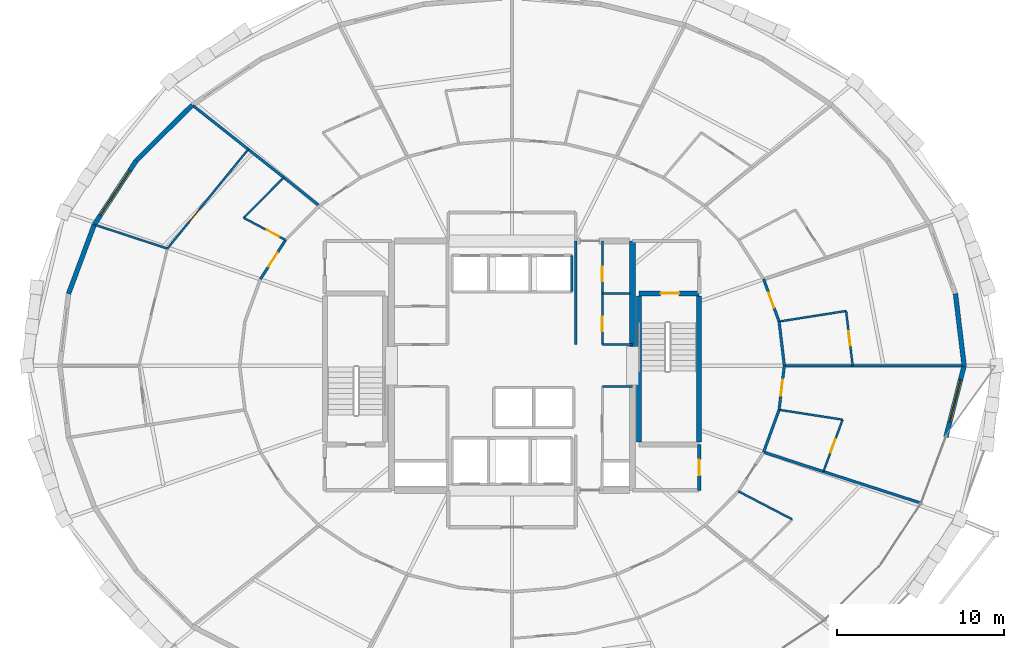
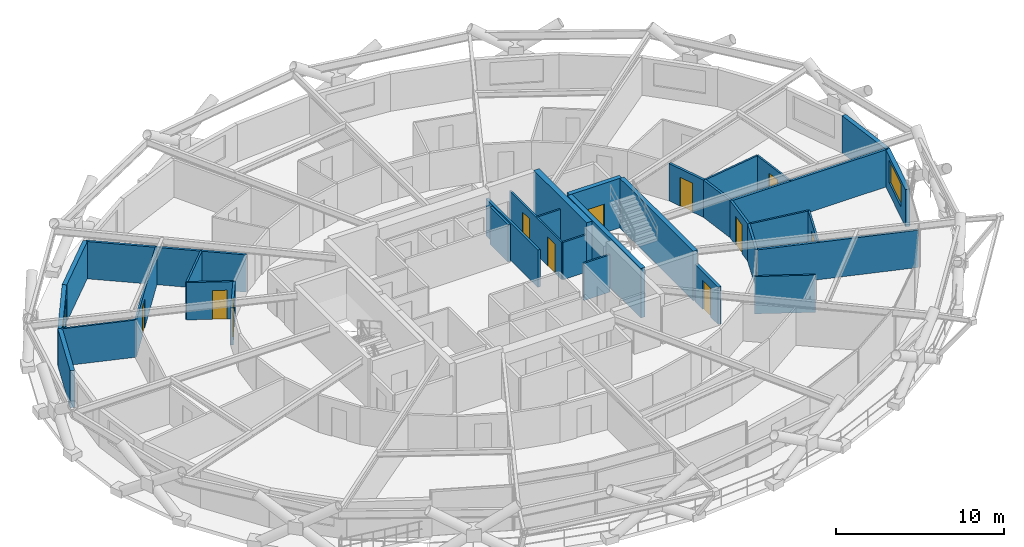
# One storey, part 15 of 20: 33 walls, 11 doors, 2 windows, 13 openings.
"""IFC4 building model written with IfcOpenShell, lengths in metres."""

from ifc_helpers import new_model, si_unit, direction, frame, frame_2d, origin, place, context, subcontext, project, spatial, rectangle, extrude, material, layer, layer_set, type_object, element, fill, save


model = new_model("IFC4")

# Units and contexts
model_context = context("Model", 3, precision=1e-05, world=origin(), true_north=direction((0.0, 1.0)))
body_context = subcontext(model_context, "Body", "Model", "MODEL_VIEW")
ifc_project = project(units=[si_unit("LENGTHUNIT", "METRE"), si_unit("AREAUNIT", "SQUARE_METRE"), si_unit("VOLUMEUNIT", "CUBIC_METRE"), si_unit("PLANEANGLEUNIT", "RADIAN"), si_unit("MASSUNIT", "GRAM", prefix="KILO")], contexts=[model_context])

# Site, building, storey
site_placement = place(None, origin())
site = spatial("IfcSite", under=ifc_project, at=site_placement, CompositionType="ELEMENT")
building_placement = place(site_placement, origin())
building = spatial("IfcBuilding", under=site, at=building_placement, Name="Veldorina Hangang Commons", CompositionType="ELEMENT")
storey_placement = place(building_placement, frame((0.0, 0.0, 84.39990234375)))
storey = spatial("IfcBuildingStorey", under=building, at=storey_placement, Name="L21", CompositionType="ELEMENT", Elevation=84.39990234375)

# Walls
ifc_material_1 = material(Name="Concrete C70/85", Category="concrete")
ifc_layer_1 = layer(ifc_material_1, 0.3798828125)
ifc_layer_set_1 = layer_set([ifc_layer_1], Name="Concrete C70/85")
wall_type_1 = type_object("IfcWallType", Name="CW-RC380-C70", PredefinedType="SHEAR", material=ifc_layer_set_1)
wall_1_placement = place(storey_placement, frame((39.199951171875, 25.14990234375, 0.0), z_axis=(0.0, 0.0, 1.0), x_axis=(0.0, 1.0, 0.0)))
element("IfcWall", 1, at=wall_1_placement, inside=storey, type_object=wall_type_1, Name="L21 E north core shear wall", PredefinedType="SHEAR", context=body_context, shape_type="SweptSolid", body=[
    extrude(rectangle(XDim=6.300048828125, YDim=0.3798828125, at=frame_2d((3.14990234375, 0.0))), origin(), (0.0, 0.0, 1.0), 3.60009765625),
])
ifc_material_2 = material(Name="Stone Roman Travertine", Category="masonry")
ifc_layer_2 = layer(ifc_material_2, 0.280029296875)
ifc_layer_set_2 = layer_set([ifc_layer_2], Name="Stone Roman Travertine")
wall_type_2 = type_object("IfcWallType", Name="EW-TRAV-280", PredefinedType="STANDARD", material=ifc_layer_set_2)
wall_2_placement = place(storey_placement, frame((59.01904296875, 24.0, 0.0), z_axis=(0.0, 0.0, 1.0), x_axis=(-0.119979283707, 0.99277639551, 0.0)))
element("IfcWall", 2, at=wall_2_placement, inside=storey, type_object=wall_type_2, Name="L21 travertine facade wall 00", PredefinedType="STANDARD", context=body_context, shape_type="SweptSolid", body=[
    extrude(rectangle(XDim=4.328125, YDim=0.280029296875, at=frame_2d((2.1640625, 0.0))), origin(), (0.0, 0.0, 1.0), 2.710205078125),
])
wall_3_placement = place(storey_placement, frame((12.894775390625, 39.57421875, 0.0), z_axis=(0.0, 0.0, 1.0), x_axis=(-0.709499676925, -0.704705760189, 0.0)))
element("IfcWall", 3, at=wall_3_placement, inside=storey, type_object=wall_type_2, Name="L21 travertine facade wall 12", PredefinedType="STANDARD", context=body_context, shape_type="SweptSolid", body=[
    extrude(rectangle(XDim=4.736328125, YDim=0.280029296875, at=frame_2d((2.3681640625, 0.0))), origin(), (0.0, 0.0, 1.0), 2.710205078125),
])

# Wall, opening, window
wall_4_placement = place(storey_placement, frame((9.534423828125, 36.236572265625, 0.0), z_axis=(0.0, 0.0, 1.0), x_axis=(-0.548336678248, -0.836257668, 0.0)))
wall_4 = element("IfcWall", 4, at=wall_4_placement, inside=storey, type_object=wall_type_2, Name="L21 travertine facade wall 13", PredefinedType="STANDARD", context=body_context, shape_type="SweptSolid", body=[
    extrude(rectangle(XDim=4.553466796875, YDim=0.280029296875, at=frame_2d((2.27685546875, 0.0))), origin(), (0.0, 0.0, 1.0), 2.710205078125),
])
opening_1_placement = place(wall_4_placement, frame((0.6767578125, 0.0, 0.800048828125)))
opening_1 = element("IfcOpeningElement", 5, at=opening_1_placement, cuts=wall_4, Name="Opening W-01", PredefinedType="OPENING", context=body_context, shape_type="SweptSolid", body=[
    extrude(rectangle(XDim=3.199951171875, YDim=1.64990234375, at=frame_2d((1.60009765625, 0.824951171875))), frame((0.0, 0.14990234375, 0.0), z_axis=(0.0, -1.0, 0.0), x_axis=(1.0, 0.0, 0.0)), (0.0, 0.0, 1.0), 0.300048828125),
])
ifc_material_3 = material(Name="Glass Low-E Triple IGU", Category="glass")
window_type_1 = type_object("IfcWindowType", Name="WIN-TWR-3200", PartitioningType="SINGLE_PANEL", PredefinedType="WINDOW", material=ifc_material_3)
window_1_placement = place(opening_1_placement, origin())
window_1 = element("IfcWindow", 6, at=window_1_placement, inside=storey, type_object=window_type_1, Name="L21 facade window 13", OverallHeight=1.64990234375, OverallWidth=3.199951171875, PartitioningType="SINGLE_PANEL", PredefinedType="WINDOW", context=body_context, shape_type="SweptSolid", body=[
    extrude(rectangle(XDim=3.199951171875, YDim=1.64990234375, at=frame_2d((1.60009765625, 0.824951171875))), frame((0.0, 0.030029296875, 0.0), z_axis=(0.0, -1.0, 0.0), x_axis=(1.0, 0.0, 0.0)), (0.0, 0.0, 1.0), 0.06005859375),
])
fill(opening_1, window_1)

# Wall
wall_5_placement = place(storey_placement, frame((7.03759765625, 32.4287109375, 0.0), z_axis=(0.0, 0.0, 1.0), x_axis=(-0.348719005739, -0.937227323031, 0.0)))
element("IfcWall", 7, at=wall_5_placement, inside=storey, type_object=wall_type_2, Name="L21 travertine facade wall 14", PredefinedType="STANDARD", context=body_context, shape_type="SweptSolid", body=[
    extrude(rectangle(XDim=4.40869140625, YDim=0.280029296875, at=frame_2d((2.204345703125, 0.0))), origin(), (0.0, 0.0, 1.0), 2.710205078125),
])

# Wall, opening, window
wall_6_placement = place(storey_placement, frame((57.927978515625, 19.72314453125, 0.0), z_axis=(0.0, 0.0, 1.0), x_axis=(0.24719210279, 0.968966492877, 0.0)))
wall_6 = element("IfcWall", 8, at=wall_6_placement, inside=storey, type_object=wall_type_2, Name="L21 travertine facade wall 31", PredefinedType="STANDARD", context=body_context, shape_type="SweptSolid", body=[
    extrude(rectangle(XDim=4.413818359375, YDim=0.280029296875, at=frame_2d((2.20703125, 0.0))), origin(), (0.0, 0.0, 1.0), 2.710205078125),
])
opening_2_placement = place(wall_6_placement, frame((0.952880859375, 0.0, 0.800048828125)))
opening_2 = element("IfcOpeningElement", 9, at=opening_2_placement, cuts=wall_6, Name="Opening W-02", PredefinedType="OPENING", context=body_context, shape_type="SweptSolid", body=[
    extrude(rectangle(XDim=2.60009765625, YDim=1.64990234375, at=frame_2d((1.300048828125, 0.824951171875))), frame((0.0, 0.14990234375, 0.0), z_axis=(0.0, -1.0, 0.0), x_axis=(1.0, 0.0, 0.0)), (0.0, 0.0, 1.0), 0.300048828125),
])
window_type_2 = type_object("IfcWindowType", Name="WIN-TWR-2600", PartitioningType="SINGLE_PANEL", PredefinedType="WINDOW", material=ifc_material_3)
window_2_placement = place(opening_2_placement, origin())
window_2 = element("IfcWindow", 10, at=window_2_placement, inside=storey, type_object=window_type_2, Name="L21 facade window 31", OverallHeight=1.64990234375, OverallWidth=2.60009765625, PartitioningType="SINGLE_PANEL", PredefinedType="WINDOW", context=body_context, shape_type="SweptSolid", body=[
    extrude(rectangle(XDim=2.60009765625, YDim=1.64990234375, at=frame_2d((1.300048828125, 0.824951171875))), frame((0.0, 0.030029296875, 0.0), z_axis=(0.0, -1.0, 0.0), x_axis=(1.0, 0.0, 0.0)), (0.0, 0.0, 1.0), 0.06005859375),
])
fill(opening_2, window_2)

# Walls
ifc_material_4 = material(Name="Concrete C50/60", Category="concrete")
ifc_layer_3 = layer(ifc_material_4, 0.300048828125)
ifc_layer_set_3 = layer_set([ifc_layer_3], Name="Concrete C50/60")
wall_type_3 = type_object("IfcWallType", Name="SW-STAIR-300", PredefinedType="SHEAR", material=ifc_layer_set_3)
for number, where, z_axis, x_axis, name in (
    (11, (43.179931640625, 19.429931640625, 0.0), (0.0, 0.0, 1.0), (0.0, 1.0, 0.0), "L21 ST2 outer stair shear wall"),
    (12, (39.580078125, 19.429931640625, 0.0), (0.0, 0.0, 1.0), (0.0, 1.0, 0.0), "L21 ST2 inner stair shear wall"),
):
    element("IfcWall", number, at=place(storey_placement, frame(where, z_axis=z_axis, x_axis=x_axis)), inside=storey, type_object=wall_type_3, Name=name, PredefinedType="SHEAR", context=body_context, shape_type="SweptSolid", body=[
        extrude(rectangle(XDim=8.739990234375, YDim=0.300048828125, at=frame_2d((4.3701171875, 0.0))), origin(), (0.0, 0.0, 1.0), 3.60009765625),
    ])

# Wall, opening, door
wall_7_placement = place(storey_placement, frame((39.580078125, 28.320068359375, 0.0), z_axis=(0.0, 0.0, 1.0), x_axis=(1.0, 0.0, 0.0)))
wall_7 = element("IfcWall", 13, at=wall_7_placement, inside=storey, type_object=wall_type_3, Name="L21 ST2 north stair shear wall", PredefinedType="SHEAR", context=body_context, shape_type="SweptSolid", body=[
    extrude(rectangle(XDim=3.599853515625, YDim=0.300048828125, at=frame_2d((1.7998046875, 0.0))), origin(), (0.0, 0.0, 1.0), 3.60009765625),
])
opening_3_placement = place(wall_7_placement, frame((1.300048828125, 0.0, 0.0)))
opening_3 = element("IfcOpeningElement", 14, at=opening_3_placement, cuts=wall_7, Name="Opening D-08", PredefinedType="OPENING", context=body_context, shape_type="SweptSolid", body=[
    extrude(rectangle(XDim=1.10009765625, YDim=2.10009765625, at=frame_2d((0.550048828125, 1.050048828125))), frame((0.0, 0.16015625, 0.0), z_axis=(0.0, -1.0, 0.0), x_axis=(1.0, 0.0, 0.0)), (0.0, 0.0, 1.0), 0.320068359375),
])
ifc_material_5 = material(Name="Steel Fire-Rated Smoke Seal", Category="steel")
door_type_1 = type_object("IfcDoorType", Name="DR-FIRE-1100", OperationType="SINGLE_SWING_RIGHT", PredefinedType="DOOR", material=ifc_material_5)
door_1_placement = place(opening_3_placement, origin())
door_1 = element("IfcDoor", 15, at=door_1_placement, inside=storey, type_object=door_type_1, Name="L21 Special Escape Stair ST-2 door", OperationType="SINGLE_SWING_RIGHT", OverallHeight=2.10009765625, OverallWidth=1.10009765625, PredefinedType="DOOR", context=body_context, shape_type="SweptSolid", body=[
    extrude(rectangle(XDim=1.10009765625, YDim=2.10009765625, at=frame_2d((0.550048828125, 1.050048828125))), frame((0.0, 0.02490234375, 0.0), z_axis=(0.0, -1.0, 0.0), x_axis=(1.0, 0.0, 0.0)), (0.0, 0.0, 1.0), 0.050048828125),
])
fill(opening_3, door_1)

# Walls
ifc_material_6 = material(Name="Gypsum Fire-Rated Twin Stud Wall", Category="gypsum")
ifc_layer_4 = layer(ifc_material_6, 0.159912109375)
ifc_layer_set_4 = layer_set([ifc_layer_4], Name="Gypsum Fire-Rated Twin Stud Wall")
wall_type_4 = type_object("IfcWallType", Name="WL-FIRE-160", PredefinedType="SOLIDWALL", material=ifc_layer_set_4)
wall_8_placement = place(storey_placement, frame((35.800048828125, 25.25, 0.0), z_axis=(0.0, 0.0, 1.0), x_axis=(0.0, 1.0, 0.0)))
element("IfcWall", 16, at=wall_8_placement, inside=storey, type_object=wall_type_4, Name="L21 Lift passage NW wall 011", PredefinedType="SOLIDWALL", context=body_context, shape_type="SweptSolid", body=[
    extrude(rectangle(XDim=6.199951171875, YDim=0.159912109375, at=frame_2d((3.10009765625, 0.0))), origin(), (0.0, 0.0, 1.0), 2.710205078125),
])
wall_9_placement = place(storey_placement, frame((35.580078125, 28.419921875, 0.0), z_axis=(0.0, 0.0, 1.0), x_axis=(0.0, 1.0, 0.0)))
element("IfcWall", 17, at=wall_9_placement, inside=storey, type_object=wall_type_4, Name="L21 PL-L3 east shaft wall 020", PredefinedType="SOLIDWALL", context=body_context, shape_type="SweptSolid", body=[
    extrude(rectangle(XDim=2.16015625, YDim=0.159912109375, at=frame_2d((1.080078125, 0.0))), origin(), (0.0, 0.0, 1.0), 2.710205078125),
])
wall_10_placement = place(storey_placement, frame((48.27392578125, 24.0, 0.0), z_axis=(0.0, 0.0, 1.0), x_axis=(-0.117763961213, 0.99304161516, 0.0)))
element("IfcWall", 18, at=wall_10_placement, inside=storey, type_object=wall_type_4, Name="L21 Corridor outer wall 00 047", PredefinedType="SOLIDWALL", context=body_context, shape_type="SweptSolid", body=[
    extrude(rectangle(XDim=2.65576171875, YDim=0.159912109375, at=frame_2d((1.327880859375, 0.0))), origin(), (0.0, 0.0, 1.0), 2.710205078125),
])

# Wall, opening, door
wall_11_placement = place(storey_placement, frame((47.961181640625, 26.63720703125, 0.0), z_axis=(0.0, 0.0, 1.0), x_axis=(-0.343013437329, 0.939330496583, 0.0)))
wall_11 = element("IfcWall", 19, at=wall_11_placement, inside=storey, type_object=wall_type_4, Name="L21 Corridor outer wall 01 048", PredefinedType="SOLIDWALL", context=body_context, shape_type="SweptSolid", body=[
    extrude(rectangle(XDim=2.69970703125, YDim=0.159912109375, at=frame_2d((1.349853515625, 0.0))), origin(), (0.0, 0.0, 1.0), 2.710205078125),
])
opening_4_placement = place(wall_11_placement, frame((0.875, 0.0, 0.0)))
opening_4 = element("IfcOpeningElement", 20, at=opening_4_placement, cuts=wall_11, Name="Opening D-03", PredefinedType="OPENING", context=body_context, shape_type="SweptSolid", body=[
    extrude(rectangle(XDim=0.949951171875, YDim=2.10009765625, at=frame_2d((0.47509765625, 1.050048828125))), frame((0.0, 0.08984375, 0.0), z_axis=(0.0, -1.0, 0.0), x_axis=(1.0, 0.0, 0.0)), (0.0, 0.0, 1.0), 0.179931640625),
])
ifc_material_7 = material(Name="Timber Fire-Rated Entrance Core", Category="wood")
door_type_2 = type_object("IfcDoorType", Name="DR-UNIT-950", OperationType="SINGLE_SWING_RIGHT", PredefinedType="DOOR", material=ifc_material_7)
door_2_placement = place(opening_4_placement, origin())
door_2 = element("IfcDoor", 21, at=door_2_placement, inside=storey, type_object=door_type_2, Name="L21 Studio 4 entrance door 026", OperationType="SINGLE_SWING_RIGHT", OverallHeight=2.10009765625, OverallWidth=0.949951171875, PredefinedType="DOOR", context=body_context, shape_type="SweptSolid", body=[
    extrude(rectangle(XDim=0.949951171875, YDim=2.10009765625, at=frame_2d((0.47509765625, 1.050048828125))), frame((0.0, 0.02490234375, 0.0), z_axis=(0.0, -1.0, 0.0), x_axis=(1.0, 0.0, 0.0)), (0.0, 0.0, 1.0), 0.050048828125),
])
fill(opening_4, door_2)

wall_12_placement = place(storey_placement, frame((18.46875, 31.51025390625, 0.0), z_axis=(0.0, 0.0, 1.0), x_axis=(-0.541126045017, -0.840941498206, 0.0)))
wall_12 = element("IfcWall", 22, at=wall_12_placement, inside=storey, type_object=wall_type_4, Name="L21 Corridor outer wall 13 060", PredefinedType="SOLIDWALL", context=body_context, shape_type="SweptSolid", body=[
    extrude(rectangle(XDim=2.779296875, YDim=0.159912109375, at=frame_2d((1.3896484375, 0.0))), origin(), (0.0, 0.0, 1.0), 2.710205078125),
])
opening_5_placement = place(wall_12_placement, frame((0.8896484375, 0.0, 0.0)))
opening_5 = element("IfcOpeningElement", 23, at=opening_5_placement, cuts=wall_12, Name="Opening D-06", PredefinedType="OPENING", context=body_context, shape_type="SweptSolid", body=[
    extrude(rectangle(XDim=1.0, YDim=2.10009765625, at=frame_2d((0.5, 1.050048828125))), frame((0.0, 0.08984375, 0.0), z_axis=(0.0, -1.0, 0.0), x_axis=(1.0, 0.0, 0.0)), (0.0, 0.0, 1.0), 0.179931640625),
])
door_type_3 = type_object("IfcDoorType", Name="DR-UNIT-1000", OperationType="SINGLE_SWING_LEFT", PredefinedType="DOOR", material=ifc_material_7)
door_3_placement = place(opening_5_placement, origin())
door_3 = element("IfcDoor", 24, at=door_3_placement, inside=storey, type_object=door_type_3, Name="L21 Cluster 10 entrance door 038", OperationType="SINGLE_SWING_RIGHT", OverallHeight=2.10009765625, OverallWidth=1.0, PredefinedType="DOOR", context=body_context, shape_type="SweptSolid", body=[
    extrude(rectangle(XDim=1.0, YDim=2.10009765625, at=frame_2d((0.5, 1.050048828125))), frame((0.0, 0.02490234375, 0.0), z_axis=(0.0, -1.0, 0.0), x_axis=(1.0, 0.0, 0.0)), (0.0, 0.0, 1.0), 0.050048828125),
])
fill(opening_5, door_3)

# Wall
wall_13_placement = place(storey_placement, frame((47.03515625, 18.826904296875, 0.0), z_axis=(0.0, 0.0, 1.0), x_axis=(0.343013437329, 0.939330496583, 0.0)))
element("IfcWall", 25, at=wall_13_placement, inside=storey, type_object=wall_type_4, Name="L21 Corridor outer wall 30 077", PredefinedType="SOLIDWALL", context=body_context, shape_type="SweptSolid", body=[
    extrude(rectangle(XDim=2.69970703125, YDim=0.159912109375, at=frame_2d((1.349853515625, 0.0))), origin(), (0.0, 0.0, 1.0), 2.710205078125),
])

# Wall, opening, door
wall_14_placement = place(storey_placement, frame((47.961181640625, 21.36279296875, 0.0), z_axis=(0.0, 0.0, 1.0), x_axis=(0.117763961213, 0.99304161516, 0.0)))
wall_14 = element("IfcWall", 26, at=wall_14_placement, inside=storey, type_object=wall_type_4, Name="L21 Corridor outer wall 31 078", PredefinedType="SOLIDWALL", context=body_context, shape_type="SweptSolid", body=[
    extrude(rectangle(XDim=2.65576171875, YDim=0.159912109375, at=frame_2d((1.327880859375, 0.0))), origin(), (0.0, 0.0, 1.0), 2.710205078125),
])
opening_6_placement = place(wall_14_placement, frame((0.852783203125, 0.0, 0.0)))
opening_6 = element("IfcOpeningElement", 27, at=opening_6_placement, cuts=wall_14, Name="Opening D-03", PredefinedType="OPENING", context=body_context, shape_type="SweptSolid", body=[
    extrude(rectangle(XDim=0.949951171875, YDim=2.10009765625, at=frame_2d((0.47509765625, 1.050048828125))), frame((0.0, 0.08984375, 0.0), z_axis=(0.0, -1.0, 0.0), x_axis=(1.0, 0.0, 0.0)), (0.0, 0.0, 1.0), 0.179931640625),
])
door_4_placement = place(opening_6_placement, origin())
door_4 = element("IfcDoor", 28, at=door_4_placement, inside=storey, type_object=door_type_2, Name="L21 Studio 3 entrance door 024", OperationType="SINGLE_SWING_RIGHT", OverallHeight=2.10009765625, OverallWidth=0.949951171875, PredefinedType="DOOR", context=body_context, shape_type="SweptSolid", body=[
    extrude(rectangle(XDim=0.949951171875, YDim=2.10009765625, at=frame_2d((0.47509765625, 1.050048828125))), frame((0.0, 0.02490234375, 0.0), z_axis=(0.0, -1.0, 0.0), x_axis=(1.0, 0.0, 0.0)), (0.0, 0.0, 1.0), 0.050048828125),
])
fill(opening_6, door_4)

# Walls
wall_15_placement = place(storey_placement, frame((47.03515625, 18.826904296875, 0.0), z_axis=(0.0, 0.0, 1.0), x_axis=(0.951534464328, -0.307542132393, 0.0)))
element("IfcWall", 29, at=wall_15_placement, inside=storey, type_object=wall_type_4, Name="L21 Unit party wall 30 087", PredefinedType="SOLIDWALL", context=body_context, shape_type="SweptSolid", body=[
    extrude(rectangle(XDim=9.8388671875, YDim=0.159912109375, at=frame_2d((4.91943359375, 0.0))), origin(), (0.0, 0.0, 1.0), 2.710205078125),
])
wall_16_placement = place(storey_placement, frame((48.27392578125, 24.0, 0.0), z_axis=(0.0, 0.0, 1.0), x_axis=(1.0, 0.0, 0.0)))
element("IfcWall", 30, at=wall_16_placement, inside=storey, type_object=wall_type_4, Name="L21 Unit party wall 00 090", PredefinedType="SOLIDWALL", context=body_context, shape_type="SweptSolid", body=[
    extrude(rectangle(XDim=10.695068359375, YDim=0.159912109375, at=frame_2d((5.34765625, 0.0))), origin(), (0.0, 0.0, 1.0), 2.710205078125),
])
wall_17_placement = place(storey_placement, frame((20.492431640625, 33.55859375, 0.0), z_axis=(0.0, 0.0, 1.0), x_axis=(-0.784008851618, 0.620749644047, 0.0)))
element("IfcWall", 31, at=wall_17_placement, inside=storey, type_object=wall_type_4, Name="L21 Unit party wall 12 108", PredefinedType="SOLIDWALL", context=body_context, shape_type="SweptSolid", body=[
    extrude(rectangle(XDim=9.640869140625, YDim=0.159912109375, at=frame_2d((4.8203125, 0.0))), origin(), (0.0, 0.0, 1.0), 2.710205078125),
])

# Wall, opening, door
ifc_material_8 = material(Name="Concrete Blockwork Fire Wall C30/37", Category="masonry")
ifc_layer_5 = layer(ifc_material_8, 0.199951171875)
ifc_layer_set_5 = layer_set([ifc_layer_5], Name="Concrete Blockwork Fire Wall C30/37")
wall_type_5 = type_object("IfcWallType", Name="WL-FIRE-200", PredefinedType="SOLIDWALL", material=ifc_layer_set_5)
wall_18_placement = place(storey_placement, frame((43.179931640625, 16.550048828125, 0.0), z_axis=(0.0, 0.0, 1.0), x_axis=(0.0, 1.0, 0.0)))
wall_18 = element("IfcWall", 32, at=wall_18_placement, inside=storey, type_object=wall_type_5, Name="L21 SE core room outer wall 007", PredefinedType="SOLIDWALL", context=body_context, shape_type="SweptSolid", body=[
    extrude(rectangle(XDim=2.72998046875, YDim=0.199951171875, at=frame_2d((1.364990234375, 0.0))), origin(), (0.0, 0.0, 1.0), 2.710205078125),
])
opening_7_placement = place(wall_18_placement, frame((0.889892578125, 0.0, 0.0)))
opening_7 = element("IfcOpeningElement", 33, at=opening_7_placement, cuts=wall_18, Name="Opening D-02", PredefinedType="OPENING", context=body_context, shape_type="SweptSolid", body=[
    extrude(rectangle(XDim=0.949951171875, YDim=2.10009765625, at=frame_2d((0.47509765625, 1.050048828125))), frame((0.0, 0.10986328125, 0.0), z_axis=(0.0, -1.0, 0.0), x_axis=(1.0, 0.0, 0.0)), (0.0, 0.0, 1.0), 0.219970703125),
])
ifc_material_9 = material(Name="Timber Solid Core Acoustic", Category="wood")
door_type_4 = type_object("IfcDoorType", Name="DR-INT-950", OperationType="SINGLE_SWING_LEFT", PredefinedType="DOOR", material=ifc_material_9)
door_5_placement = place(opening_7_placement, origin())
door_5 = element("IfcDoor", 34, at=door_5_placement, inside=storey, type_object=door_type_4, Name="L21 SE core WC door 004", OperationType="SINGLE_SWING_RIGHT", OverallHeight=2.10009765625, OverallWidth=0.949951171875, PredefinedType="DOOR", context=body_context, shape_type="SweptSolid", body=[
    extrude(rectangle(XDim=0.949951171875, YDim=2.10009765625, at=frame_2d((0.47509765625, 1.050048828125))), frame((0.0, 0.02490234375, 0.0), z_axis=(0.0, -1.0, 0.0), x_axis=(1.0, 0.0, 0.0)), (0.0, 0.0, 1.0), 0.050048828125),
])
fill(opening_7, door_5)

# Wall, openings, doors
ifc_material_10 = material(Name="Gypsum Acoustic Stud Partition", Category="gypsum")
ifc_layer_6 = layer(ifc_material_10, 0.1201171875)
ifc_layer_set_6 = layer_set([ifc_layer_6], Name="Gypsum Acoustic Stud Partition")
wall_type_6 = type_object("IfcWallType", Name="WL-PART-120", PredefinedType="PARTITIONING", material=ifc_layer_set_6)
wall_19_placement = place(storey_placement, frame((37.39990234375, 25.25, 0.0), z_axis=(0.0, 0.0, 1.0), x_axis=(0.0, 1.0, 0.0)))
wall_19 = element("IfcWall", 35, at=wall_19_placement, inside=storey, type_object=wall_type_6, Name="L21 NE strip lobby wall 041", PredefinedType="PARTITIONING", context=body_context, shape_type="SweptSolid", body=[
    extrude(rectangle(XDim=6.199951171875, YDim=0.1201171875, at=frame_2d((3.10009765625, 0.0))), origin(), (0.0, 0.0, 1.0), 2.710205078125),
])
opening_8_placement = place(wall_19_placement, frame((0.800048828125, 0.0, 0.0)))
opening_8 = element("IfcOpeningElement", 36, at=opening_8_placement, cuts=wall_19, Name="Opening D-01", PredefinedType="OPENING", context=body_context, shape_type="SweptSolid", body=[
    extrude(rectangle(XDim=0.860107421875, YDim=2.10009765625, at=frame_2d((0.43017578125, 1.050048828125))), frame((0.0, 0.070068359375, 0.0), z_axis=(0.0, -1.0, 0.0), x_axis=(1.0, 0.0, 0.0)), (0.0, 0.0, 1.0), 0.14013671875),
])
opening_9_placement = place(wall_19_placement, frame((3.800048828125, 0.0, 0.0)))
opening_9 = element("IfcOpeningElement", 37, at=opening_9_placement, cuts=wall_19, Name="Opening D-01", PredefinedType="OPENING", context=body_context, shape_type="SweptSolid", body=[
    extrude(rectangle(XDim=0.860107421875, YDim=2.10009765625, at=frame_2d((0.43017578125, 1.050048828125))), frame((0.0, 0.070068359375, 0.0), z_axis=(0.0, -1.0, 0.0), x_axis=(1.0, 0.0, 0.0)), (0.0, 0.0, 1.0), 0.14013671875),
])
ifc_material_11 = material(Name="Timber Moisture-Resistant Core", Category="wood")
door_type_5 = type_object("IfcDoorType", Name="DR-WET-860", OperationType="SINGLE_SWING_LEFT", PredefinedType="DOOR", material=ifc_material_11)
door_6_placement = place(opening_8_placement, origin())
door_6 = element("IfcDoor", 38, at=door_6_placement, inside=storey, type_object=door_type_5, Name="L21 Electrical closet door 016", OperationType="SINGLE_SWING_RIGHT", OverallHeight=2.10009765625, OverallWidth=0.860107421875, PredefinedType="DOOR", context=body_context, shape_type="SweptSolid", body=[
    extrude(rectangle(XDim=0.860107421875, YDim=2.10009765625, at=frame_2d((0.43017578125, 1.050048828125))), frame((0.0, 0.02490234375, 0.0), z_axis=(0.0, -1.0, 0.0), x_axis=(1.0, 0.0, 0.0)), (0.0, 0.0, 1.0), 0.050048828125),
])
fill(opening_8, door_6)
door_7_placement = place(opening_9_placement, origin())
door_7 = element("IfcDoor", 39, at=door_7_placement, inside=storey, type_object=door_type_5, Name="L21 IT closet door 017", OperationType="SINGLE_SWING_LEFT", OverallHeight=2.10009765625, OverallWidth=0.860107421875, PredefinedType="DOOR", context=body_context, shape_type="SweptSolid", body=[
    extrude(rectangle(XDim=0.860107421875, YDim=2.10009765625, at=frame_2d((0.43017578125, 1.050048828125))), frame((0.0, 0.02490234375, 0.0), z_axis=(0.0, -1.0, 0.0), x_axis=(1.0, 0.0, 0.0)), (0.0, 0.0, 1.0), 0.050048828125),
])
fill(opening_9, door_7)

# Walls
for number, where, z_axis, x_axis, name in (
    (40, (37.39990234375, 25.25, 0.0), (0.0, 0.0, 1.0), (1.0, 0.0, 0.0), "L21 NE strip south return wall 042"),
    (41, (37.39990234375, 22.75, 0.0), (0.0, 0.0, 1.0), (1.0, 0.0, 0.0), "L21 SE strip north return wall 044"),
):
    element("IfcWall", number, at=place(storey_placement, frame(where, z_axis=z_axis, x_axis=x_axis)), inside=storey, type_object=wall_type_6, Name=name, PredefinedType="PARTITIONING", context=body_context, shape_type="SweptSolid", body=[
        extrude(rectangle(XDim=1.800048828125, YDim=0.1201171875, at=frame_2d((0.89990234375, 0.0))), origin(), (0.0, 0.0, 1.0), 2.710205078125),
    ])
wall_20_placement = place(storey_placement, frame((37.39990234375, 28.300048828125, 0.0), z_axis=(0.0, 0.0, 1.0), x_axis=(1.0, 0.0, 0.0)))
element("IfcWall", 42, at=wall_20_placement, inside=storey, type_object=wall_type_6, Name="L21 NE mid wall 046", PredefinedType="PARTITIONING", context=body_context, shape_type="SweptSolid", body=[
    extrude(rectangle(XDim=1.650146484375, YDim=0.1201171875, at=frame_2d((0.8251953125, 0.0))), origin(), (0.0, 0.0, 1.0), 2.710205078125),
])
wall_21_placement = place(storey_placement, frame((45.53125, 16.48974609375, 0.0), z_axis=(0.0, 0.0, 1.0), x_axis=(0.886738326297, -0.462271717366, 0.0)))
element("IfcWall", 43, at=wall_21_placement, inside=storey, type_object=wall_type_6, Name="L21 Studio 2 bath side wall 086", PredefinedType="PARTITIONING", context=body_context, shape_type="SweptSolid", body=[
    extrude(rectangle(XDim=3.62939453125, YDim=0.1201171875, at=frame_2d((1.814697265625, 0.0))), origin(), (0.0, 0.0, 1.0), 2.710205078125),
])

# Wall, opening, door
wall_22_placement = place(storey_placement, frame((50.61083984375, 17.671142578125, 0.0), z_axis=(0.0, 0.0, 1.0), x_axis=(0.346556958516, 0.938028930526, 0.0)))
wall_22 = element("IfcWall", 44, at=wall_22_placement, inside=storey, type_object=wall_type_6, Name="L21 Studio 3 bath front wall 088", PredefinedType="PARTITIONING", context=body_context, shape_type="SweptSolid", body=[
    extrude(rectangle(XDim=3.3076171875, YDim=0.1201171875, at=frame_2d((1.65380859375, 0.0))), origin(), (0.0, 0.0, 1.0), 2.710205078125),
])
opening_10_placement = place(wall_22_placement, frame((1.2236328125, 0.0, 0.0)))
opening_10 = element("IfcOpeningElement", 45, at=opening_10_placement, cuts=wall_22, Name="Opening D-01", PredefinedType="OPENING", context=body_context, shape_type="SweptSolid", body=[
    extrude(rectangle(XDim=0.860107421875, YDim=2.10009765625, at=frame_2d((0.43017578125, 1.050048828125))), frame((0.0, 0.070068359375, 0.0), z_axis=(0.0, -1.0, 0.0), x_axis=(1.0, 0.0, 0.0)), (0.0, 0.0, 1.0), 0.14013671875),
])
door_8_placement = place(opening_10_placement, origin())
door_8 = element("IfcDoor", 46, at=door_8_placement, inside=storey, type_object=door_type_5, Name="L21 Studio 3 bathroom door 023", OperationType="SINGLE_SWING_LEFT", OverallHeight=2.10009765625, OverallWidth=0.860107421875, PredefinedType="DOOR", context=body_context, shape_type="SweptSolid", body=[
    extrude(rectangle(XDim=0.860107421875, YDim=2.10009765625, at=frame_2d((0.43017578125, 1.050048828125))), frame((0.0, 0.02490234375, 0.0), z_axis=(0.0, -1.0, 0.0), x_axis=(1.0, 0.0, 0.0)), (0.0, 0.0, 1.0), 0.050048828125),
])
fill(opening_10, door_8)

# Wall
wall_23_placement = place(storey_placement, frame((47.961181640625, 21.36279296875, 0.0), z_axis=(0.0, 0.0, 1.0), x_axis=(0.988170250217, -0.153360870451, 0.0)))
element("IfcWall", 47, at=wall_23_placement, inside=storey, type_object=wall_type_6, Name="L21 Studio 3 bath side wall 089", PredefinedType="PARTITIONING", context=body_context, shape_type="SweptSolid", body=[
    extrude(rectangle(XDim=3.84130859375, YDim=0.1201171875, at=frame_2d((1.920654296875, 0.0))), origin(), (0.0, 0.0, 1.0), 2.710205078125),
])

# Wall, opening, door
wall_24_placement = place(storey_placement, frame((52.357177734375, 24.0, 0.0), z_axis=(0.0, 0.0, 1.0), x_axis=(-0.118911209682, 0.992904891826, 0.0)))
wall_24 = element("IfcWall", 48, at=wall_24_placement, inside=storey, type_object=wall_type_6, Name="L21 Studio 4 bath front wall 091", PredefinedType="PARTITIONING", context=body_context, shape_type="SweptSolid", body=[
    extrude(rectangle(XDim=3.291259765625, YDim=0.1201171875, at=frame_2d((1.6455078125, 0.0))), origin(), (0.0, 0.0, 1.0), 2.710205078125),
])
opening_11_placement = place(wall_24_placement, frame((1.215576171875, 0.0, 0.0)))
opening_11 = element("IfcOpeningElement", 49, at=opening_11_placement, cuts=wall_24, Name="Opening D-01", PredefinedType="OPENING", context=body_context, shape_type="SweptSolid", body=[
    extrude(rectangle(XDim=0.860107421875, YDim=2.10009765625, at=frame_2d((0.43017578125, 1.050048828125))), frame((0.0, 0.070068359375, 0.0), z_axis=(0.0, -1.0, 0.0), x_axis=(1.0, 0.0, 0.0)), (0.0, 0.0, 1.0), 0.14013671875),
])
door_9_placement = place(opening_11_placement, origin())
door_9 = element("IfcDoor", 50, at=door_9_placement, inside=storey, type_object=door_type_5, Name="L21 Studio 4 bathroom door 025", OperationType="SINGLE_SWING_LEFT", OverallHeight=2.10009765625, OverallWidth=0.860107421875, PredefinedType="DOOR", context=body_context, shape_type="SweptSolid", body=[
    extrude(rectangle(XDim=0.860107421875, YDim=2.10009765625, at=frame_2d((0.43017578125, 1.050048828125))), frame((0.0, 0.02490234375, 0.0), z_axis=(0.0, -1.0, 0.0), x_axis=(1.0, 0.0, 0.0)), (0.0, 0.0, 1.0), 0.050048828125),
])
fill(opening_11, door_9)

# Walls
wall_25_placement = place(storey_placement, frame((47.961181640625, 26.63720703125, 0.0), z_axis=(0.0, 0.0, 1.0), x_axis=(0.987827335178, 0.155554350227, 0.0)))
element("IfcWall", 51, at=wall_25_placement, inside=storey, type_object=wall_type_6, Name="L21 Studio 4 bath side wall 092", PredefinedType="PARTITIONING", context=body_context, shape_type="SweptSolid", body=[
    extrude(rectangle(XDim=4.053955078125, YDim=0.1201171875, at=frame_2d((2.02685546875, 0.0))), origin(), (0.0, 0.0, 1.0), 2.710205078125),
])
wall_26_placement = place(storey_placement, frame((18.364990234375, 35.242919921875, 0.0), z_axis=(0.0, 0.0, 1.0), x_axis=(-0.705416994653, -0.708792539221, 0.0)))
element("IfcWall", 52, at=wall_26_placement, inside=storey, type_object=wall_type_6, Name="L21 Cluster 10 bath front wall 109", PredefinedType="PARTITIONING", context=body_context, shape_type="SweptSolid", body=[
    extrude(rectangle(XDim=3.3994140625, YDim=0.1201171875, at=frame_2d((1.69970703125, 0.0))), origin(), (0.0, 0.0, 1.0), 2.710205078125),
])

# Wall, opening, door
wall_27_placement = place(storey_placement, frame((18.46875, 31.51025390625, 0.0), z_axis=(0.0, 0.0, 1.0), x_axis=(-0.883962018059, 0.467558713563, 0.0)))
wall_27 = element("IfcWall", 53, at=wall_27_placement, inside=storey, type_object=wall_type_6, Name="L21 Cluster 10 bath side wall 110", PredefinedType="PARTITIONING", context=body_context, shape_type="SweptSolid", body=[
    extrude(rectangle(XDim=2.830078125, YDim=0.1201171875, at=frame_2d((1.4150390625, 0.0))), origin(), (0.0, 0.0, 1.0), 2.710205078125),
])
opening_12_placement = place(wall_27_placement, frame((0.43994140625, 0.0, 0.0)))
opening_12 = element("IfcOpeningElement", 54, at=opening_12_placement, cuts=wall_27, Name="Opening D-01", PredefinedType="OPENING", context=body_context, shape_type="SweptSolid", body=[
    extrude(rectangle(XDim=0.860107421875, YDim=2.10009765625, at=frame_2d((0.43017578125, 1.050048828125))), frame((0.0, 0.070068359375, 0.0), z_axis=(0.0, -1.0, 0.0), x_axis=(1.0, 0.0, 0.0)), (0.0, 0.0, 1.0), 0.14013671875),
])
door_10_placement = place(opening_12_placement, origin())
door_10 = element("IfcDoor", 55, at=door_10_placement, inside=storey, type_object=door_type_5, Name="L21 Cluster 10 shared bathroom door 037", OperationType="SINGLE_SWING_LEFT", OverallHeight=2.10009765625, OverallWidth=0.860107421875, PredefinedType="DOOR", context=body_context, shape_type="SweptSolid", body=[
    extrude(rectangle(XDim=0.860107421875, YDim=2.10009765625, at=frame_2d((0.43017578125, 1.050048828125))), frame((0.0, 0.02490234375, 0.0), z_axis=(0.0, -1.0, 0.0), x_axis=(1.0, 0.0, 0.0)), (0.0, 0.0, 1.0), 0.050048828125),
])
fill(opening_12, door_10)

wall_28_placement = place(storey_placement, frame((16.23779296875, 36.927490234375, 0.0), z_axis=(0.0, 0.0, 1.0), x_axis=(-0.631616835391, -0.7752807061, 0.0)))
wall_28 = element("IfcWall", 56, at=wall_28_placement, inside=storey, type_object=wall_type_6, Name="L21 Cluster 10 bed 1 front wall 111", PredefinedType="PARTITIONING", context=body_context, shape_type="SweptSolid", body=[
    extrude(rectangle(XDim=7.650634765625, YDim=0.1201171875, at=frame_2d((3.8251953125, 0.0))), origin(), (0.0, 0.0, 1.0), 2.710205078125),
])
opening_13_placement = place(wall_28_placement, frame((4.630615234375, 0.0, 0.0)))
opening_13 = element("IfcOpeningElement", 57, at=opening_13_placement, cuts=wall_28, Name="Opening D-02", PredefinedType="OPENING", context=body_context, shape_type="SweptSolid", body=[
    extrude(rectangle(XDim=0.949951171875, YDim=2.10009765625, at=frame_2d((0.47509765625, 1.050048828125))), frame((0.0, 0.070068359375, 0.0), z_axis=(0.0, -1.0, 0.0), x_axis=(1.0, 0.0, 0.0)), (0.0, 0.0, 1.0), 0.14013671875),
])
door_11_placement = place(opening_13_placement, origin())
door_11 = element("IfcDoor", 58, at=door_11_placement, inside=storey, type_object=door_type_4, Name="L21 Cluster 10 bed 1 door 039", OperationType="SINGLE_SWING_LEFT", OverallHeight=2.10009765625, OverallWidth=0.949951171875, PredefinedType="DOOR", context=body_context, shape_type="SweptSolid", body=[
    extrude(rectangle(XDim=0.949951171875, YDim=2.10009765625, at=frame_2d((0.47509765625, 1.050048828125))), frame((0.0, 0.02490234375, 0.0), z_axis=(0.0, -1.0, 0.0), x_axis=(1.0, 0.0, 0.0)), (0.0, 0.0, 1.0), 0.050048828125),
])
fill(opening_13, door_11)

# Wall
wall_29_placement = place(storey_placement, frame((11.405517578125, 30.99609375, 0.0), z_axis=(0.0, 0.0, 1.0), x_axis=(-0.950197222086, 0.311649224513, 0.0)))
element("IfcWall", 59, at=wall_29_placement, inside=storey, type_object=wall_type_6, Name="L21 Cluster 10 bed divider 1 113", PredefinedType="PARTITIONING", context=body_context, shape_type="SweptSolid", body=[
    extrude(rectangle(XDim=4.546875, YDim=0.1201171875, at=frame_2d((2.2734375, 0.0))), origin(), (0.0, 0.0, 1.0), 2.710205078125),
])

save(model, "model.ifc")
